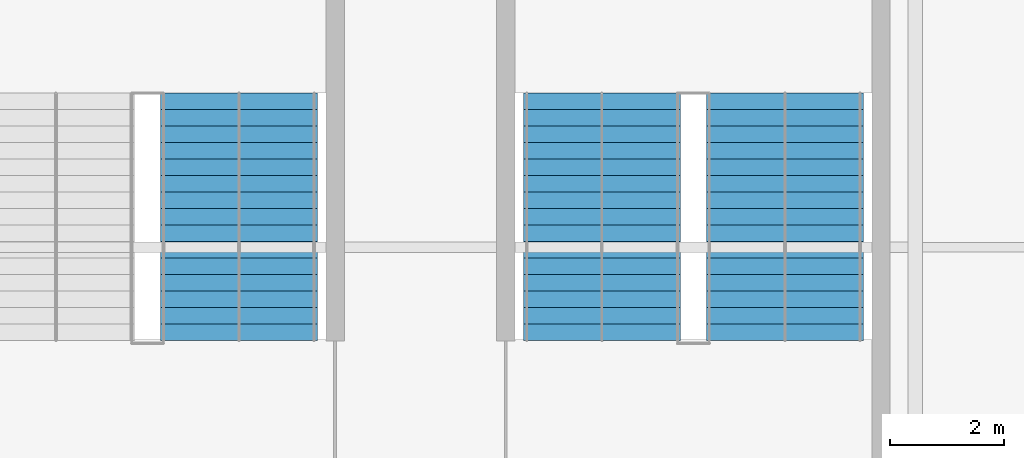
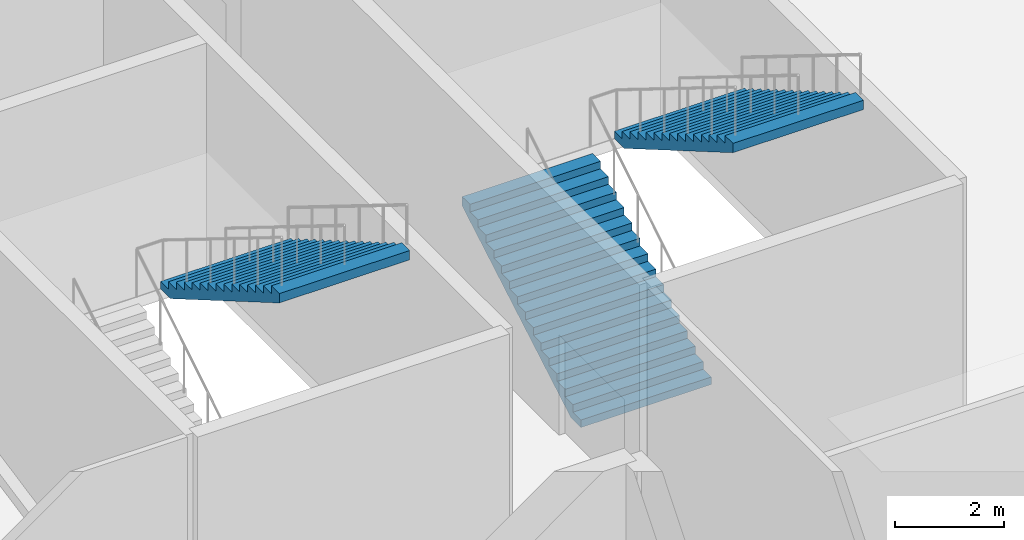
# One storey, part 81 of 113: 3 stair flights, 2 elements without a shape of their own.
"""IFC4 building model written with IfcOpenShell, lengths in metres."""

from ifc_helpers import new_model, si_unit, direction, frame, origin, place, context, subcontext, project, spatial, polygons, material, type_object, element, aggregate, save


model = new_model("IFC4")

# Units and contexts
model_context = context("Model", 3, precision=1e-05, world=origin(), true_north=direction((0.0, 1.0)))
body_context = subcontext(model_context, "Body", "Model", "MODEL_VIEW")
ifc_project = project(units=[si_unit("LENGTHUNIT", "METRE"), si_unit("AREAUNIT", "SQUARE_METRE"), si_unit("VOLUMEUNIT", "CUBIC_METRE"), si_unit("PLANEANGLEUNIT", "RADIAN"), si_unit("MASSUNIT", "GRAM", prefix="KILO")], contexts=[model_context])

# Site, building, storey
site_placement = place(None, origin())
site = spatial("IfcSite", under=ifc_project, at=site_placement, CompositionType="ELEMENT")
building_placement = place(site_placement, origin())
building = spatial("IfcBuilding", under=site, at=building_placement, Name="Kisiwana Market Hall", CompositionType="ELEMENT")
storey_placement = place(building_placement, frame((0.0, 0.0, 6.0)))
storey = spatial("IfcBuildingStorey", under=building, at=storey_placement, Name="L01", CompositionType="ELEMENT", Elevation=6.0)

# Stair, stair flight
ifc_material_1 = material(Name="Concrete C32/40", Category="concrete")
stair_type = type_object("IfcStairType", Name="ST-ESC-5400", PredefinedType="TWO_STRAIGHT_RUN_STAIR", material=ifc_material_1)
stair_1_placement = place(storey_placement, origin())
stair_1 = element("IfcStair", 1, at=stair_1_placement, inside=storey, type_object=stair_type, Name="Escape stair ST-W3-L01", PredefinedType="TWO_STRAIGHT_RUN_STAIR")
ifc_material_2 = material(Name="Concrete C32/40", Category="concrete")
stair_flight_type = type_object("IfcStairFlightType", Name="SF-ESC-5400", PredefinedType="STRAIGHT", material=ifc_material_2)
stair_flight_1_placement = place(storey_placement, frame((15.110107421875, 46.7099609375, 2.699951171875), z_axis=(0.0, 0.0, 1.0), x_axis=(0.0, -1.0, 0.0)))
stair_flight_1 = element("IfcStairFlight", 2, at=stair_flight_1_placement, type_object=stair_flight_type, Name="ST-W3-L01 flight 2", NumberOfRisers=16, NumberOfTreads=15, PredefinedType="STRAIGHT", RiserHeight=0.16875, TreadLength=0.29, context=body_context, shape_type="Tessellation", body=[
    polygons([(0.0, -1.380127, 0.0), (0.0, -0.690125, 0.0), (0.0, -0.000122, 0.0), (0.0, 0.68988, 0.0), (0.0, 1.379883, 0.0), (0.0, -1.380127, 0.168701), (0.0, -0.690125, 0.168701), (0.0, -0.000122, 0.168701), (0.0, 0.68988, 0.168701), (0.0, 1.379883, 0.168701), (0.290039, -1.380127, 0.168701), (0.290039, -0.690125, 0.168701), (0.290039, -0.000122, 0.168701), (0.290039, 0.68988, 0.168701), (0.290039, 1.379883, 0.168701), (0.290039, -1.380127, 0.337402), (0.290039, -0.690125, 0.337402), (0.290039, -0.000122, 0.337402), (0.290039, 0.68988, 0.337402), (0.290039, 1.379883, 0.337402), (0.580078, -1.380127, 0.337402), (0.580078, -0.690125, 0.337402), (0.580078, -0.000122, 0.337402), (0.580078, 0.68988, 0.337402), (0.580078, 1.379883, 0.337402), (0.580078, -1.380127, 0.506348), (0.580078, -0.690125, 0.506348), (0.580078, -0.000122, 0.506348), (0.580078, 0.68988, 0.506348), (0.580078, 1.379883, 0.506348), (0.870117, -1.380127, 0.506348), (0.870117, -0.690125, 0.506348), (0.870117, -0.000122, 0.506348), (0.870117, 0.68988, 0.506348), (0.870117, 1.379883, 0.506348), (0.870117, -1.380127, 0.675049), (0.870117, -0.690125, 0.675049), (0.870117, -0.000122, 0.675049), (0.870117, 0.68988, 0.675049), (0.870117, 1.379883, 0.675049), (1.159912, -1.380127, 0.675049), (1.159912, -0.690125, 0.675049), (1.159912, -0.000122, 0.675049), (1.159912, 0.68988, 0.675049), (1.159912, 1.379883, 0.675049), (1.159912, -1.380127, 0.84375), (1.159912, -0.690125, 0.84375), (1.159912, -0.000122, 0.84375), (1.159912, 0.68988, 0.84375), (1.159912, 1.379883, 0.84375), (1.449951, -1.380127, 0.84375), (1.449951, -0.690125, 0.84375), (1.449951, -0.000122, 0.84375), (1.449951, 0.68988, 0.84375), (1.449951, 1.379883, 0.84375), (1.449951, -1.380127, 1.012451), (1.449951, -0.690125, 1.012451), (1.449951, -0.000122, 1.012451), (1.449951, 0.68988, 1.012451), (1.449951, 1.379883, 1.012451), (1.73999, -1.380127, 1.012451), (1.73999, -0.690125, 1.012451), (1.73999, -0.000122, 1.012451), (1.73999, 0.68988, 1.012451), (1.73999, 1.379883, 1.012451), (1.73999, -1.380127, 1.181152), (1.73999, -0.690125, 1.181152), (1.73999, -0.000122, 1.181152), (1.73999, 0.68988, 1.181152), (1.73999, 1.379883, 1.181152), (2.030029, -1.380127, 1.181152), (2.030029, -0.690125, 1.181152), (2.030029, -0.000122, 1.181152), (2.030029, 0.68988, 1.181152), (2.030029, 1.379883, 1.181152), (2.030029, -1.380127, 1.350098), (2.030029, -0.690125, 1.350098), (2.030029, -0.000122, 1.350098), (2.030029, 0.68988, 1.350098), (2.030029, 1.379883, 1.350098), (2.320068, -1.380127, 1.350098), (2.320068, -0.690125, 1.350098), (2.320068, -0.000122, 1.350098), (2.320068, 0.68988, 1.350098), (2.320068, 1.379883, 1.350098), (2.320068, -1.380127, 1.518799), (2.320068, -0.690125, 1.518799), (2.320068, -0.000122, 1.518799), (2.320068, 0.68988, 1.518799), (2.320068, 1.379883, 1.518799), (2.610107, -1.380127, 1.518799), (2.610107, -0.690125, 1.518799), (2.610107, -0.000122, 1.518799), (2.610107, 0.68988, 1.518799), (2.610107, 1.379883, 1.518799), (2.610107, -1.380127, 1.6875), (2.610107, -0.690125, 1.6875), (2.610107, -0.000122, 1.6875), (2.610107, 0.68988, 1.6875), (2.610107, 1.379883, 1.6875), (2.899902, -1.380127, 1.6875), (2.899902, -0.690125, 1.6875), (2.899902, -0.000122, 1.6875), (2.899902, 0.68988, 1.6875), (2.899902, 1.379883, 1.6875), (2.899902, -1.380127, 1.856201), (2.899902, -0.690125, 1.856201), (2.899902, -0.000122, 1.856201), (2.899902, 0.68988, 1.856201), (2.899902, 1.379883, 1.856201), (3.189941, -1.380127, 1.856201), (3.189941, -0.690125, 1.856201), (3.189941, -0.000122, 1.856201), (3.189941, 0.68988, 1.856201), (3.189941, 1.379883, 1.856201), (3.189941, -1.380127, 2.024902), (3.189941, -0.690125, 2.024902), (3.189941, -0.000122, 2.024902), (3.189941, 0.68988, 2.024902), (3.189941, 1.379883, 2.024902), (3.47998, -1.380127, 2.024902), (3.47998, -0.690125, 2.024902), (3.47998, -0.000122, 2.024902), (3.47998, 0.68988, 2.024902), (3.47998, 1.379883, 2.024902), (3.47998, -1.380127, 2.193848), (3.47998, -0.690125, 2.193848), (3.47998, -0.000122, 2.193848), (3.47998, 0.68988, 2.193848), (3.47998, 1.379883, 2.193848), (3.77002, -1.380127, 2.193848), (3.77002, -0.690125, 2.193848), (3.77002, -0.000122, 2.193848), (3.77002, 0.68988, 2.193848), (3.77002, 1.379883, 2.193848), (3.77002, -1.380127, 2.362549), (3.77002, -0.690125, 2.362549), (3.77002, -0.000122, 2.362549), (3.77002, 0.68988, 2.362549), (3.77002, 1.379883, 2.362549), (4.060059, -1.380127, 2.362549), (4.060059, -0.690125, 2.362549), (4.060059, -0.000122, 2.362549), (4.060059, 0.68988, 2.362549), (4.060059, 1.379883, 2.362549), (4.060059, -1.380127, 2.53125), (4.060059, -0.690125, 2.53125), (4.060059, -0.000122, 2.53125), (4.060059, 0.68988, 2.53125), (4.060059, 1.379883, 2.53125), (4.350098, -1.380127, 2.53125), (4.350098, -0.690125, 2.53125), (4.350098, -0.000122, 2.53125), (4.350098, 0.68988, 2.53125), (4.350098, 1.379883, 2.53125), (4.350098, -1.380127, 2.322998), (4.350098, -0.690125, 2.322998), (4.350098, -0.000122, 2.322998), (4.350098, 0.68988, 2.322998), (4.350098, 1.379883, 2.322998), (0.357666, -1.380127, 0.0), (0.357666, -0.690125, 0.0), (0.357666, -0.000122, 0.0), (0.357666, 0.68988, 0.0), (0.357666, 1.379883, 0.0)], [[[1, 6, 7, 2]], [[2, 7, 8, 3]], [[3, 8, 9, 4]], [[4, 9, 10, 5]], [[6, 11, 12, 7]], [[7, 12, 13, 8]], [[8, 13, 14, 9]], [[9, 14, 15, 10]], [[11, 16, 17, 12]], [[12, 17, 18, 13]], [[13, 18, 19, 14]], [[14, 19, 20, 15]], [[16, 21, 22, 17]], [[17, 22, 23, 18]], [[18, 23, 24, 19]], [[19, 24, 25, 20]], [[21, 26, 27, 22]], [[22, 27, 28, 23]], [[23, 28, 29, 24]], [[24, 29, 30, 25]], [[26, 31, 32, 27]], [[27, 32, 33, 28]], [[28, 33, 34, 29]], [[29, 34, 35, 30]], [[31, 36, 37, 32]], [[32, 37, 38, 33]], [[33, 38, 39, 34]], [[34, 39, 40, 35]], [[36, 41, 42, 37]], [[37, 42, 43, 38]], [[38, 43, 44, 39]], [[39, 44, 45, 40]], [[41, 46, 47, 42]], [[42, 47, 48, 43]], [[43, 48, 49, 44]], [[44, 49, 50, 45]], [[46, 51, 52, 47]], [[47, 52, 53, 48]], [[48, 53, 54, 49]], [[49, 54, 55, 50]], [[51, 56, 57, 52]], [[52, 57, 58, 53]], [[53, 58, 59, 54]], [[54, 59, 60, 55]], [[56, 61, 62, 57]], [[57, 62, 63, 58]], [[58, 63, 64, 59]], [[59, 64, 65, 60]], [[61, 66, 67, 62]], [[62, 67, 68, 63]], [[63, 68, 69, 64]], [[64, 69, 70, 65]], [[66, 71, 72, 67]], [[67, 72, 73, 68]], [[68, 73, 74, 69]], [[69, 74, 75, 70]], [[71, 76, 77, 72]], [[72, 77, 78, 73]], [[73, 78, 79, 74]], [[74, 79, 80, 75]], [[76, 81, 82, 77]], [[77, 82, 83, 78]], [[78, 83, 84, 79]], [[79, 84, 85, 80]], [[81, 86, 87, 82]], [[82, 87, 88, 83]], [[83, 88, 89, 84]], [[84, 89, 90, 85]], [[86, 91, 92, 87]], [[87, 92, 93, 88]], [[88, 93, 94, 89]], [[89, 94, 95, 90]], [[91, 96, 97, 92]], [[92, 97, 98, 93]], [[93, 98, 99, 94]], [[94, 99, 100, 95]], [[96, 101, 102, 97]], [[97, 102, 103, 98]], [[98, 103, 104, 99]], [[99, 104, 105, 100]], [[101, 106, 107, 102]], [[102, 107, 108, 103]], [[103, 108, 109, 104]], [[104, 109, 110, 105]], [[106, 111, 112, 107]], [[107, 112, 113, 108]], [[108, 113, 114, 109]], [[109, 114, 115, 110]], [[111, 116, 117, 112]], [[112, 117, 118, 113]], [[113, 118, 119, 114]], [[114, 119, 120, 115]], [[116, 121, 122, 117]], [[117, 122, 123, 118]], [[118, 123, 124, 119]], [[119, 124, 125, 120]], [[121, 126, 127, 122]], [[122, 127, 128, 123]], [[123, 128, 129, 124]], [[124, 129, 130, 125]], [[126, 131, 132, 127]], [[127, 132, 133, 128]], [[128, 133, 134, 129]], [[129, 134, 135, 130]], [[131, 136, 137, 132]], [[132, 137, 138, 133]], [[133, 138, 139, 134]], [[134, 139, 140, 135]], [[136, 141, 142, 137]], [[137, 142, 143, 138]], [[138, 143, 144, 139]], [[139, 144, 145, 140]], [[141, 146, 147, 142]], [[142, 147, 148, 143]], [[143, 148, 149, 144]], [[144, 149, 150, 145]], [[146, 151, 152, 147]], [[147, 152, 153, 148]], [[148, 153, 154, 149]], [[149, 154, 155, 150]], [[151, 156, 157, 152]], [[152, 157, 158, 153]], [[153, 158, 159, 154]], [[154, 159, 160, 155]], [[156, 161, 162, 157]], [[157, 162, 163, 158]], [[158, 163, 164, 159]], [[159, 164, 165, 160]], [[161, 1, 2, 162]], [[162, 2, 3, 163]], [[163, 3, 4, 164]], [[164, 4, 5, 165]], [[161, 156, 151, 146, 141, 136, 131, 126, 121, 116, 111, 106, 101, 96, 91, 86, 81, 76, 71, 66, 61, 56, 51, 46, 41, 36, 31, 26, 21, 16, 11, 6, 1]], [[5, 10, 15, 20, 25, 30, 35, 40, 45, 50, 55, 60, 65, 70, 75, 80, 85, 90, 95, 100, 105, 110, 115, 120, 125, 130, 135, 140, 145, 150, 155, 160, 165]]], closed=True),
])
aggregate(stair_1, [stair_flight_1])

# Stair, stair flights
stair_2_placement = place(storey_placement, origin())
stair_2 = element("IfcStair", 3, at=stair_2_placement, inside=storey, type_object=stair_type, Name="Escape stair ST-W7-L01", PredefinedType="TWO_STRAIGHT_RUN_STAIR")
stair_flight_2_placement = place(storey_placement, frame((21.489990234375, 42.360107421875, 0.0), z_axis=(0.0, 0.0, 1.0), x_axis=(0.0, 1.0, 0.0)))
stair_flight_2 = element("IfcStairFlight", 4, at=stair_flight_2_placement, type_object=stair_flight_type, Name="ST-W7-L01 flight 1", NumberOfRisers=16, NumberOfTreads=15, PredefinedType="STRAIGHT", RiserHeight=0.16875, TreadLength=0.29, context=body_context, shape_type="Tessellation", body=[
    polygons([(0.0, -1.380127, 0.0), (0.0, -0.690125, 0.0), (0.0, -0.000122, 0.0), (0.0, 0.68988, 0.0), (0.0, 1.379883, 0.0), (0.0, -1.380127, 0.168701), (0.0, -0.690125, 0.168701), (0.0, -0.000122, 0.168701), (0.0, 0.68988, 0.168701), (0.0, 1.379883, 0.168701), (0.290039, -1.380127, 0.168701), (0.290039, -0.690125, 0.168701), (0.290039, -0.000122, 0.168701), (0.290039, 0.68988, 0.168701), (0.290039, 1.379883, 0.168701), (0.290039, -1.380127, 0.337402), (0.290039, -0.690125, 0.337402), (0.290039, -0.000122, 0.337402), (0.290039, 0.68988, 0.337402), (0.290039, 1.379883, 0.337402), (0.580078, -1.380127, 0.337402), (0.580078, -0.690125, 0.337402), (0.580078, -0.000122, 0.337402), (0.580078, 0.68988, 0.337402), (0.580078, 1.379883, 0.337402), (0.580078, -1.380127, 0.506348), (0.580078, -0.690125, 0.506348), (0.580078, -0.000122, 0.506348), (0.580078, 0.68988, 0.506348), (0.580078, 1.379883, 0.506348), (0.870117, -1.380127, 0.506348), (0.870117, -0.690125, 0.506348), (0.870117, -0.000122, 0.506348), (0.870117, 0.68988, 0.506348), (0.870117, 1.379883, 0.506348), (0.870117, -1.380127, 0.675049), (0.870117, -0.690125, 0.675049), (0.870117, -0.000122, 0.675049), (0.870117, 0.68988, 0.675049), (0.870117, 1.379883, 0.675049), (1.159912, -1.380127, 0.675049), (1.159912, -0.690125, 0.675049), (1.159912, -0.000122, 0.675049), (1.159912, 0.68988, 0.675049), (1.159912, 1.379883, 0.675049), (1.159912, -1.380127, 0.84375), (1.159912, -0.690125, 0.84375), (1.159912, -0.000122, 0.84375), (1.159912, 0.68988, 0.84375), (1.159912, 1.379883, 0.84375), (1.449951, -1.380127, 0.84375), (1.449951, -0.690125, 0.84375), (1.449951, -0.000122, 0.84375), (1.449951, 0.68988, 0.84375), (1.449951, 1.379883, 0.84375), (1.449951, -1.380127, 1.012451), (1.449951, -0.690125, 1.012451), (1.449951, -0.000122, 1.012451), (1.449951, 0.68988, 1.012451), (1.449951, 1.379883, 1.012451), (1.73999, -1.380127, 1.012451), (1.73999, -0.690125, 1.012451), (1.73999, -0.000122, 1.012451), (1.73999, 0.68988, 1.012451), (1.73999, 1.379883, 1.012451), (1.73999, -1.380127, 1.181152), (1.73999, -0.690125, 1.181152), (1.73999, -0.000122, 1.181152), (1.73999, 0.68988, 1.181152), (1.73999, 1.379883, 1.181152), (2.030029, -1.380127, 1.181152), (2.030029, -0.690125, 1.181152), (2.030029, -0.000122, 1.181152), (2.030029, 0.68988, 1.181152), (2.030029, 1.379883, 1.181152), (2.030029, -1.380127, 1.350098), (2.030029, -0.690125, 1.350098), (2.030029, -0.000122, 1.350098), (2.030029, 0.68988, 1.350098), (2.030029, 1.379883, 1.350098), (2.320068, -1.380127, 1.350098), (2.320068, -0.690125, 1.350098), (2.320068, -0.000122, 1.350098), (2.320068, 0.68988, 1.350098), (2.320068, 1.379883, 1.350098), (2.320068, -1.380127, 1.518799), (2.320068, -0.690125, 1.518799), (2.320068, -0.000122, 1.518799), (2.320068, 0.68988, 1.518799), (2.320068, 1.379883, 1.518799), (2.610107, -1.380127, 1.518799), (2.610107, -0.690125, 1.518799), (2.610107, -0.000122, 1.518799), (2.610107, 0.68988, 1.518799), (2.610107, 1.379883, 1.518799), (2.610107, -1.380127, 1.6875), (2.610107, -0.690125, 1.6875), (2.610107, -0.000122, 1.6875), (2.610107, 0.68988, 1.6875), (2.610107, 1.379883, 1.6875), (2.899902, -1.380127, 1.6875), (2.899902, -0.690125, 1.6875), (2.899902, -0.000122, 1.6875), (2.899902, 0.68988, 1.6875), (2.899902, 1.379883, 1.6875), (2.899902, -1.380127, 1.856201), (2.899902, -0.690125, 1.856201), (2.899902, -0.000122, 1.856201), (2.899902, 0.68988, 1.856201), (2.899902, 1.379883, 1.856201), (3.189941, -1.380127, 1.856201), (3.189941, -0.690125, 1.856201), (3.189941, -0.000122, 1.856201), (3.189941, 0.68988, 1.856201), (3.189941, 1.379883, 1.856201), (3.189941, -1.380127, 2.024902), (3.189941, -0.690125, 2.024902), (3.189941, -0.000122, 2.024902), (3.189941, 0.68988, 2.024902), (3.189941, 1.379883, 2.024902), (3.47998, -1.380127, 2.024902), (3.47998, -0.690125, 2.024902), (3.47998, -0.000122, 2.024902), (3.47998, 0.68988, 2.024902), (3.47998, 1.379883, 2.024902), (3.47998, -1.380127, 2.193848), (3.47998, -0.690125, 2.193848), (3.47998, -0.000122, 2.193848), (3.47998, 0.68988, 2.193848), (3.47998, 1.379883, 2.193848), (3.77002, -1.380127, 2.193848), (3.77002, -0.690125, 2.193848), (3.77002, -0.000122, 2.193848), (3.77002, 0.68988, 2.193848), (3.77002, 1.379883, 2.193848), (3.77002, -1.380127, 2.362549), (3.77002, -0.690125, 2.362549), (3.77002, -0.000122, 2.362549), (3.77002, 0.68988, 2.362549), (3.77002, 1.379883, 2.362549), (4.060059, -1.380127, 2.362549), (4.060059, -0.690125, 2.362549), (4.060059, -0.000122, 2.362549), (4.060059, 0.68988, 2.362549), (4.060059, 1.379883, 2.362549), (4.060059, -1.380127, 2.53125), (4.060059, -0.690125, 2.53125), (4.060059, -0.000122, 2.53125), (4.060059, 0.68988, 2.53125), (4.060059, 1.379883, 2.53125), (4.350098, -1.380127, 2.53125), (4.350098, -0.690125, 2.53125), (4.350098, -0.000122, 2.53125), (4.350098, 0.68988, 2.53125), (4.350098, 1.379883, 2.53125), (4.350098, -1.380127, 2.322998), (4.350098, -0.690125, 2.322998), (4.350098, -0.000122, 2.322998), (4.350098, 0.68988, 2.322998), (4.350098, 1.379883, 2.322998), (0.357666, -1.380127, 0.0), (0.357666, -0.690125, 0.0), (0.357666, -0.000122, 0.0), (0.357666, 0.68988, 0.0), (0.357666, 1.379883, 0.0)], [[[1, 6, 7, 2]], [[2, 7, 8, 3]], [[3, 8, 9, 4]], [[4, 9, 10, 5]], [[6, 11, 12, 7]], [[7, 12, 13, 8]], [[8, 13, 14, 9]], [[9, 14, 15, 10]], [[11, 16, 17, 12]], [[12, 17, 18, 13]], [[13, 18, 19, 14]], [[14, 19, 20, 15]], [[16, 21, 22, 17]], [[17, 22, 23, 18]], [[18, 23, 24, 19]], [[19, 24, 25, 20]], [[21, 26, 27, 22]], [[22, 27, 28, 23]], [[23, 28, 29, 24]], [[24, 29, 30, 25]], [[26, 31, 32, 27]], [[27, 32, 33, 28]], [[28, 33, 34, 29]], [[29, 34, 35, 30]], [[31, 36, 37, 32]], [[32, 37, 38, 33]], [[33, 38, 39, 34]], [[34, 39, 40, 35]], [[36, 41, 42, 37]], [[37, 42, 43, 38]], [[38, 43, 44, 39]], [[39, 44, 45, 40]], [[41, 46, 47, 42]], [[42, 47, 48, 43]], [[43, 48, 49, 44]], [[44, 49, 50, 45]], [[46, 51, 52, 47]], [[47, 52, 53, 48]], [[48, 53, 54, 49]], [[49, 54, 55, 50]], [[51, 56, 57, 52]], [[52, 57, 58, 53]], [[53, 58, 59, 54]], [[54, 59, 60, 55]], [[56, 61, 62, 57]], [[57, 62, 63, 58]], [[58, 63, 64, 59]], [[59, 64, 65, 60]], [[61, 66, 67, 62]], [[62, 67, 68, 63]], [[63, 68, 69, 64]], [[64, 69, 70, 65]], [[66, 71, 72, 67]], [[67, 72, 73, 68]], [[68, 73, 74, 69]], [[69, 74, 75, 70]], [[71, 76, 77, 72]], [[72, 77, 78, 73]], [[73, 78, 79, 74]], [[74, 79, 80, 75]], [[76, 81, 82, 77]], [[77, 82, 83, 78]], [[78, 83, 84, 79]], [[79, 84, 85, 80]], [[81, 86, 87, 82]], [[82, 87, 88, 83]], [[83, 88, 89, 84]], [[84, 89, 90, 85]], [[86, 91, 92, 87]], [[87, 92, 93, 88]], [[88, 93, 94, 89]], [[89, 94, 95, 90]], [[91, 96, 97, 92]], [[92, 97, 98, 93]], [[93, 98, 99, 94]], [[94, 99, 100, 95]], [[96, 101, 102, 97]], [[97, 102, 103, 98]], [[98, 103, 104, 99]], [[99, 104, 105, 100]], [[101, 106, 107, 102]], [[102, 107, 108, 103]], [[103, 108, 109, 104]], [[104, 109, 110, 105]], [[106, 111, 112, 107]], [[107, 112, 113, 108]], [[108, 113, 114, 109]], [[109, 114, 115, 110]], [[111, 116, 117, 112]], [[112, 117, 118, 113]], [[113, 118, 119, 114]], [[114, 119, 120, 115]], [[116, 121, 122, 117]], [[117, 122, 123, 118]], [[118, 123, 124, 119]], [[119, 124, 125, 120]], [[121, 126, 127, 122]], [[122, 127, 128, 123]], [[123, 128, 129, 124]], [[124, 129, 130, 125]], [[126, 131, 132, 127]], [[127, 132, 133, 128]], [[128, 133, 134, 129]], [[129, 134, 135, 130]], [[131, 136, 137, 132]], [[132, 137, 138, 133]], [[133, 138, 139, 134]], [[134, 139, 140, 135]], [[136, 141, 142, 137]], [[137, 142, 143, 138]], [[138, 143, 144, 139]], [[139, 144, 145, 140]], [[141, 146, 147, 142]], [[142, 147, 148, 143]], [[143, 148, 149, 144]], [[144, 149, 150, 145]], [[146, 151, 152, 147]], [[147, 152, 153, 148]], [[148, 153, 154, 149]], [[149, 154, 155, 150]], [[151, 156, 157, 152]], [[152, 157, 158, 153]], [[153, 158, 159, 154]], [[154, 159, 160, 155]], [[156, 161, 162, 157]], [[157, 162, 163, 158]], [[158, 163, 164, 159]], [[159, 164, 165, 160]], [[161, 1, 2, 162]], [[162, 2, 3, 163]], [[163, 3, 4, 164]], [[164, 4, 5, 165]], [[161, 156, 151, 146, 141, 136, 131, 126, 121, 116, 111, 106, 101, 96, 91, 86, 81, 76, 71, 66, 61, 56, 51, 46, 41, 36, 31, 26, 21, 16, 11, 6, 1]], [[5, 10, 15, 20, 25, 30, 35, 40, 45, 50, 55, 60, 65, 70, 75, 80, 85, 90, 95, 100, 105, 110, 115, 120, 125, 130, 135, 140, 145, 150, 155, 160, 165]]], closed=True),
])
stair_flight_3_placement = place(storey_placement, frame((24.7099609375, 46.7099609375, 2.699951171875), z_axis=(0.0, 0.0, 1.0), x_axis=(0.0, -1.0, 0.0)))
stair_flight_3 = element("IfcStairFlight", 5, at=stair_flight_3_placement, type_object=stair_flight_type, Name="ST-W7-L01 flight 2", NumberOfRisers=16, NumberOfTreads=15, PredefinedType="STRAIGHT", RiserHeight=0.16875, TreadLength=0.29, context=body_context, shape_type="Tessellation", body=[
    polygons([(0.0, -1.380127, 0.0), (0.0, -0.690125, 0.0), (0.0, -0.000122, 0.0), (0.0, 0.68988, 0.0), (0.0, 1.379883, 0.0), (0.0, -1.380127, 0.168701), (0.0, -0.690125, 0.168701), (0.0, -0.000122, 0.168701), (0.0, 0.68988, 0.168701), (0.0, 1.379883, 0.168701), (0.290039, -1.380127, 0.168701), (0.290039, -0.690125, 0.168701), (0.290039, -0.000122, 0.168701), (0.290039, 0.68988, 0.168701), (0.290039, 1.379883, 0.168701), (0.290039, -1.380127, 0.337402), (0.290039, -0.690125, 0.337402), (0.290039, -0.000122, 0.337402), (0.290039, 0.68988, 0.337402), (0.290039, 1.379883, 0.337402), (0.580078, -1.380127, 0.337402), (0.580078, -0.690125, 0.337402), (0.580078, -0.000122, 0.337402), (0.580078, 0.68988, 0.337402), (0.580078, 1.379883, 0.337402), (0.580078, -1.380127, 0.506348), (0.580078, -0.690125, 0.506348), (0.580078, -0.000122, 0.506348), (0.580078, 0.68988, 0.506348), (0.580078, 1.379883, 0.506348), (0.870117, -1.380127, 0.506348), (0.870117, -0.690125, 0.506348), (0.870117, -0.000122, 0.506348), (0.870117, 0.68988, 0.506348), (0.870117, 1.379883, 0.506348), (0.870117, -1.380127, 0.675049), (0.870117, -0.690125, 0.675049), (0.870117, -0.000122, 0.675049), (0.870117, 0.68988, 0.675049), (0.870117, 1.379883, 0.675049), (1.159912, -1.380127, 0.675049), (1.159912, -0.690125, 0.675049), (1.159912, -0.000122, 0.675049), (1.159912, 0.68988, 0.675049), (1.159912, 1.379883, 0.675049), (1.159912, -1.380127, 0.84375), (1.159912, -0.690125, 0.84375), (1.159912, -0.000122, 0.84375), (1.159912, 0.68988, 0.84375), (1.159912, 1.379883, 0.84375), (1.449951, -1.380127, 0.84375), (1.449951, -0.690125, 0.84375), (1.449951, -0.000122, 0.84375), (1.449951, 0.68988, 0.84375), (1.449951, 1.379883, 0.84375), (1.449951, -1.380127, 1.012451), (1.449951, -0.690125, 1.012451), (1.449951, -0.000122, 1.012451), (1.449951, 0.68988, 1.012451), (1.449951, 1.379883, 1.012451), (1.73999, -1.380127, 1.012451), (1.73999, -0.690125, 1.012451), (1.73999, -0.000122, 1.012451), (1.73999, 0.68988, 1.012451), (1.73999, 1.379883, 1.012451), (1.73999, -1.380127, 1.181152), (1.73999, -0.690125, 1.181152), (1.73999, -0.000122, 1.181152), (1.73999, 0.68988, 1.181152), (1.73999, 1.379883, 1.181152), (2.030029, -1.380127, 1.181152), (2.030029, -0.690125, 1.181152), (2.030029, -0.000122, 1.181152), (2.030029, 0.68988, 1.181152), (2.030029, 1.379883, 1.181152), (2.030029, -1.380127, 1.350098), (2.030029, -0.690125, 1.350098), (2.030029, -0.000122, 1.350098), (2.030029, 0.68988, 1.350098), (2.030029, 1.379883, 1.350098), (2.320068, -1.380127, 1.350098), (2.320068, -0.690125, 1.350098), (2.320068, -0.000122, 1.350098), (2.320068, 0.68988, 1.350098), (2.320068, 1.379883, 1.350098), (2.320068, -1.380127, 1.518799), (2.320068, -0.690125, 1.518799), (2.320068, -0.000122, 1.518799), (2.320068, 0.68988, 1.518799), (2.320068, 1.379883, 1.518799), (2.610107, -1.380127, 1.518799), (2.610107, -0.690125, 1.518799), (2.610107, -0.000122, 1.518799), (2.610107, 0.68988, 1.518799), (2.610107, 1.379883, 1.518799), (2.610107, -1.380127, 1.6875), (2.610107, -0.690125, 1.6875), (2.610107, -0.000122, 1.6875), (2.610107, 0.68988, 1.6875), (2.610107, 1.379883, 1.6875), (2.899902, -1.380127, 1.6875), (2.899902, -0.690125, 1.6875), (2.899902, -0.000122, 1.6875), (2.899902, 0.68988, 1.6875), (2.899902, 1.379883, 1.6875), (2.899902, -1.380127, 1.856201), (2.899902, -0.690125, 1.856201), (2.899902, -0.000122, 1.856201), (2.899902, 0.68988, 1.856201), (2.899902, 1.379883, 1.856201), (3.189941, -1.380127, 1.856201), (3.189941, -0.690125, 1.856201), (3.189941, -0.000122, 1.856201), (3.189941, 0.68988, 1.856201), (3.189941, 1.379883, 1.856201), (3.189941, -1.380127, 2.024902), (3.189941, -0.690125, 2.024902), (3.189941, -0.000122, 2.024902), (3.189941, 0.68988, 2.024902), (3.189941, 1.379883, 2.024902), (3.47998, -1.380127, 2.024902), (3.47998, -0.690125, 2.024902), (3.47998, -0.000122, 2.024902), (3.47998, 0.68988, 2.024902), (3.47998, 1.379883, 2.024902), (3.47998, -1.380127, 2.193848), (3.47998, -0.690125, 2.193848), (3.47998, -0.000122, 2.193848), (3.47998, 0.68988, 2.193848), (3.47998, 1.379883, 2.193848), (3.77002, -1.380127, 2.193848), (3.77002, -0.690125, 2.193848), (3.77002, -0.000122, 2.193848), (3.77002, 0.68988, 2.193848), (3.77002, 1.379883, 2.193848), (3.77002, -1.380127, 2.362549), (3.77002, -0.690125, 2.362549), (3.77002, -0.000122, 2.362549), (3.77002, 0.68988, 2.362549), (3.77002, 1.379883, 2.362549), (4.060059, -1.380127, 2.362549), (4.060059, -0.690125, 2.362549), (4.060059, -0.000122, 2.362549), (4.060059, 0.68988, 2.362549), (4.060059, 1.379883, 2.362549), (4.060059, -1.380127, 2.53125), (4.060059, -0.690125, 2.53125), (4.060059, -0.000122, 2.53125), (4.060059, 0.68988, 2.53125), (4.060059, 1.379883, 2.53125), (4.350098, -1.380127, 2.53125), (4.350098, -0.690125, 2.53125), (4.350098, -0.000122, 2.53125), (4.350098, 0.68988, 2.53125), (4.350098, 1.379883, 2.53125), (4.350098, -1.380127, 2.322998), (4.350098, -0.690125, 2.322998), (4.350098, -0.000122, 2.322998), (4.350098, 0.68988, 2.322998), (4.350098, 1.379883, 2.322998), (0.357666, -1.380127, 0.0), (0.357666, -0.690125, 0.0), (0.357666, -0.000122, 0.0), (0.357666, 0.68988, 0.0), (0.357666, 1.379883, 0.0)], [[[1, 6, 7, 2]], [[2, 7, 8, 3]], [[3, 8, 9, 4]], [[4, 9, 10, 5]], [[6, 11, 12, 7]], [[7, 12, 13, 8]], [[8, 13, 14, 9]], [[9, 14, 15, 10]], [[11, 16, 17, 12]], [[12, 17, 18, 13]], [[13, 18, 19, 14]], [[14, 19, 20, 15]], [[16, 21, 22, 17]], [[17, 22, 23, 18]], [[18, 23, 24, 19]], [[19, 24, 25, 20]], [[21, 26, 27, 22]], [[22, 27, 28, 23]], [[23, 28, 29, 24]], [[24, 29, 30, 25]], [[26, 31, 32, 27]], [[27, 32, 33, 28]], [[28, 33, 34, 29]], [[29, 34, 35, 30]], [[31, 36, 37, 32]], [[32, 37, 38, 33]], [[33, 38, 39, 34]], [[34, 39, 40, 35]], [[36, 41, 42, 37]], [[37, 42, 43, 38]], [[38, 43, 44, 39]], [[39, 44, 45, 40]], [[41, 46, 47, 42]], [[42, 47, 48, 43]], [[43, 48, 49, 44]], [[44, 49, 50, 45]], [[46, 51, 52, 47]], [[47, 52, 53, 48]], [[48, 53, 54, 49]], [[49, 54, 55, 50]], [[51, 56, 57, 52]], [[52, 57, 58, 53]], [[53, 58, 59, 54]], [[54, 59, 60, 55]], [[56, 61, 62, 57]], [[57, 62, 63, 58]], [[58, 63, 64, 59]], [[59, 64, 65, 60]], [[61, 66, 67, 62]], [[62, 67, 68, 63]], [[63, 68, 69, 64]], [[64, 69, 70, 65]], [[66, 71, 72, 67]], [[67, 72, 73, 68]], [[68, 73, 74, 69]], [[69, 74, 75, 70]], [[71, 76, 77, 72]], [[72, 77, 78, 73]], [[73, 78, 79, 74]], [[74, 79, 80, 75]], [[76, 81, 82, 77]], [[77, 82, 83, 78]], [[78, 83, 84, 79]], [[79, 84, 85, 80]], [[81, 86, 87, 82]], [[82, 87, 88, 83]], [[83, 88, 89, 84]], [[84, 89, 90, 85]], [[86, 91, 92, 87]], [[87, 92, 93, 88]], [[88, 93, 94, 89]], [[89, 94, 95, 90]], [[91, 96, 97, 92]], [[92, 97, 98, 93]], [[93, 98, 99, 94]], [[94, 99, 100, 95]], [[96, 101, 102, 97]], [[97, 102, 103, 98]], [[98, 103, 104, 99]], [[99, 104, 105, 100]], [[101, 106, 107, 102]], [[102, 107, 108, 103]], [[103, 108, 109, 104]], [[104, 109, 110, 105]], [[106, 111, 112, 107]], [[107, 112, 113, 108]], [[108, 113, 114, 109]], [[109, 114, 115, 110]], [[111, 116, 117, 112]], [[112, 117, 118, 113]], [[113, 118, 119, 114]], [[114, 119, 120, 115]], [[116, 121, 122, 117]], [[117, 122, 123, 118]], [[118, 123, 124, 119]], [[119, 124, 125, 120]], [[121, 126, 127, 122]], [[122, 127, 128, 123]], [[123, 128, 129, 124]], [[124, 129, 130, 125]], [[126, 131, 132, 127]], [[127, 132, 133, 128]], [[128, 133, 134, 129]], [[129, 134, 135, 130]], [[131, 136, 137, 132]], [[132, 137, 138, 133]], [[133, 138, 139, 134]], [[134, 139, 140, 135]], [[136, 141, 142, 137]], [[137, 142, 143, 138]], [[138, 143, 144, 139]], [[139, 144, 145, 140]], [[141, 146, 147, 142]], [[142, 147, 148, 143]], [[143, 148, 149, 144]], [[144, 149, 150, 145]], [[146, 151, 152, 147]], [[147, 152, 153, 148]], [[148, 153, 154, 149]], [[149, 154, 155, 150]], [[151, 156, 157, 152]], [[152, 157, 158, 153]], [[153, 158, 159, 154]], [[154, 159, 160, 155]], [[156, 161, 162, 157]], [[157, 162, 163, 158]], [[158, 163, 164, 159]], [[159, 164, 165, 160]], [[161, 1, 2, 162]], [[162, 2, 3, 163]], [[163, 3, 4, 164]], [[164, 4, 5, 165]], [[161, 156, 151, 146, 141, 136, 131, 126, 121, 116, 111, 106, 101, 96, 91, 86, 81, 76, 71, 66, 61, 56, 51, 46, 41, 36, 31, 26, 21, 16, 11, 6, 1]], [[5, 10, 15, 20, 25, 30, 35, 40, 45, 50, 55, 60, 65, 70, 75, 80, 85, 90, 95, 100, 105, 110, 115, 120, 125, 130, 135, 140, 145, 150, 155, 160, 165]]], closed=True),
])
aggregate(stair_2, [stair_flight_2, stair_flight_3])

save(model, "model.ifc")
